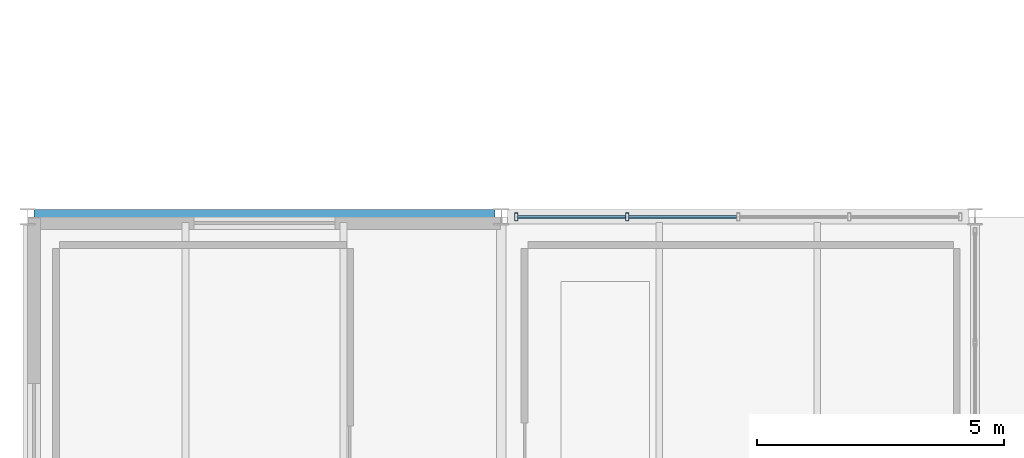
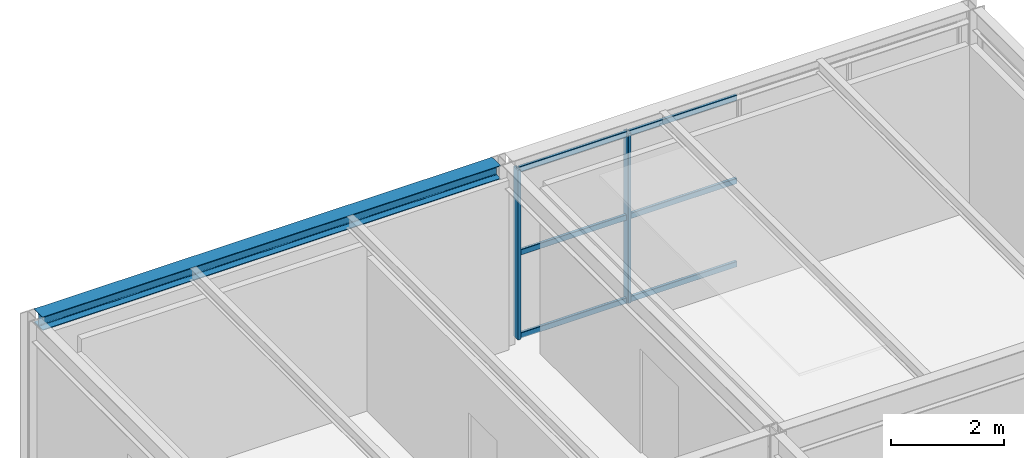
# One storey, part 31 of 50: 8 members, 1 beam, 1 element without a shape of its own.
"""IFC4 building model written with IfcOpenShell, lengths in metres."""

from ifc_helpers import new_model, si_unit, direction, frame, origin, origin_2d, place, context, subcontext, project, spatial, hollow_rectangle, i_section, extrude, material, material_profile, profile_set, type_object, element, aggregate, save


model = new_model("IFC4")

# Units and contexts
model_context = context("Model", 3, precision=1e-05, world=origin(), true_north=direction((0.0, 1.0)))
body_context = subcontext(model_context, "Body", "Model", "MODEL_VIEW")
ifc_project = project(units=[si_unit("LENGTHUNIT", "METRE"), si_unit("AREAUNIT", "SQUARE_METRE"), si_unit("VOLUMEUNIT", "CUBIC_METRE"), si_unit("PLANEANGLEUNIT", "RADIAN"), si_unit("MASSUNIT", "GRAM", prefix="KILO")], contexts=[model_context])

# Site, building, storey
site_placement = place(None, origin())
site = spatial("IfcSite", under=ifc_project, at=site_placement, CompositionType="ELEMENT")
building_placement = place(site_placement, origin())
building = spatial("IfcBuilding", under=site, at=building_placement, Name="Coralgate Yard Interchange", CompositionType="ELEMENT")
storey_placement = place(building_placement, frame((0.0, 0.0, 14.699951171875)))
storey = spatial("IfcBuildingStorey", under=building, at=storey_placement, Name="L03", CompositionType="ELEMENT", Elevation=14.699951171875)

# Beam
ifc_material_1 = material(Name="Structural steel S355J2", Category="steel")
ifc_material_profile_1 = material_profile(ifc_material_1, i_section(OverallWidth=0.300048828125, OverallDepth=0.2900390625, WebThickness=0.008544921875, FlangeThickness=0.013916015625, FilletRadius=0.027099609375, at=origin_2d()), Name="HEA 300")
ifc_profile_set_1 = profile_set([ifc_material_profile_1], Name="Structural steel S355J2")
beam_type = type_object("IfcBeamType", Name="BM-SP-2", PredefinedType="SPANDREL", material=ifc_profile_set_1)
beam_placement = place(storey_placement, frame((0.12548828125, 48.0, 3.804931640625), z_axis=(1.0, 0.0, 0.0), x_axis=(0.0, 1.0, 0.0)))
element("IfcBeam", 1, at=beam_placement, inside=storey, type_object=beam_type, Name="L03 primary grid beam Y5 X0-1", PredefinedType="SPANDREL", context=body_context, shape_type="SweptSolid", body=[
    extrude(i_section(OverallWidth=0.300048828125, OverallDepth=0.2900390625, WebThickness=0.008544921875, FlangeThickness=0.013916015625, FilletRadius=0.027099609375, at=origin_2d()), origin(), (0.0, 0.0, 1.0), 9.348876953125),
])

# Curtain wall, members
ifc_material_2 = material(Name="Anodised coastal aluminium and solar-control low-E glass", Category="aluminium")
curtain_wall_type = type_object("IfcCurtainWallType", Name="CW-CW-L03-A", PredefinedType="NOTDEFINED", material=ifc_material_2)
curtain_wall_placement = place(storey_placement, origin())
curtain_wall = element("IfcCurtainWall", 2, at=curtain_wall_placement, inside=storey, type_object=curtain_wall_type, Name="L03 unitised curtain wall CW-L03-N-01-04", PredefinedType="NOTDEFINED")
ifc_material_3 = material(Name="Anodised coastal aluminium 6063-T6", Category="aluminium")
ifc_material_profile_2 = material_profile(ifc_material_3, hollow_rectangle(XDim=0.06494140625, YDim=0.159912109375, WallThickness=0.00390625, InnerFilletRadius=0.00390625, OuterFilletRadius=0.008056640625, at=origin_2d()), Name="ALU 65x160x4")
ifc_profile_set_2 = profile_set([ifc_material_profile_2], Name="Anodised coastal aluminium 6063-T6")
member_type_1 = type_object("IfcMemberType", Name="MB-MUL-160", PredefinedType="MULLION", material=ifc_profile_set_2)
member_1_placement = place(storey_placement, frame((9.89990234375, 48.0, 0.0), z_axis=(0.0, 0.0, 1.0), x_axis=(1.0, 0.0, 0.0)))
member_1 = element("IfcMember", 3, at=member_1_placement, type_object=member_type_1, Name="CW-L03-N-01-04 vertical mullion 1", PredefinedType="MULLION", context=body_context, shape_type="SweptSolid", body=[
    extrude(hollow_rectangle(XDim=0.06494140625, YDim=0.159912109375, WallThickness=0.00390625, InnerFilletRadius=0.00390625, OuterFilletRadius=0.008056640625, at=origin_2d()), origin(), (0.0, 0.0, 1.0), 3.66015625),
])
member_2_placement = place(storey_placement, frame((12.14990234375, 48.0, 0.0), z_axis=(0.0, 0.0, 1.0), x_axis=(1.0, 0.0, 0.0)))
member_2 = element("IfcMember", 4, at=member_2_placement, type_object=member_type_1, Name="CW-L03-N-01-04 vertical mullion 2", PredefinedType="MULLION", context=body_context, shape_type="SweptSolid", body=[
    extrude(hollow_rectangle(XDim=0.06494140625, YDim=0.159912109375, WallThickness=0.00390625, InnerFilletRadius=0.00390625, OuterFilletRadius=0.008056640625, at=origin_2d()), origin(), (0.0, 0.0, 1.0), 3.66015625),
])
ifc_material_profile_3 = material_profile(ifc_material_3, hollow_rectangle(XDim=0.06005859375, YDim=0.1201171875, WallThickness=0.00341796875, InnerFilletRadius=0.00341796875, OuterFilletRadius=0.007080078125, at=origin_2d()), Name="ALU 60x120x3.5")
ifc_profile_set_3 = profile_set([ifc_material_profile_3], Name="Anodised coastal aluminium 6063-T6")
member_type_2 = type_object("IfcMemberType", Name="MB-TRN-120", PredefinedType="USERDEFINED", material=ifc_profile_set_3)
member_3_placement = place(storey_placement, frame((9.929931640625, 48.0, 0.03515625), z_axis=(1.0, 0.0, 0.0), x_axis=(0.0, 1.0, 0.0)))
member_3 = element("IfcMember", 5, at=member_3_placement, type_object=member_type_2, Name="CW-L03-N-01-04 horizontal transom 1-1", ObjectType="TRANSOM", PredefinedType="USERDEFINED", context=body_context, shape_type="SweptSolid", body=[
    extrude(hollow_rectangle(XDim=0.06005859375, YDim=0.1201171875, WallThickness=0.00341796875, InnerFilletRadius=0.00341796875, OuterFilletRadius=0.007080078125, at=origin_2d()), origin(), (0.0, 0.0, 1.0), 2.190185546875),
])
member_4_placement = place(storey_placement, frame((9.929931640625, 48.0, 1.830078125), z_axis=(1.0, 0.0, 0.0), x_axis=(0.0, 1.0, 0.0)))
member_4 = element("IfcMember", 6, at=member_4_placement, type_object=member_type_2, Name="CW-L03-N-01-04 horizontal transom 1-2", ObjectType="TRANSOM", PredefinedType="USERDEFINED", context=body_context, shape_type="SweptSolid", body=[
    extrude(hollow_rectangle(XDim=0.06005859375, YDim=0.1201171875, WallThickness=0.00341796875, InnerFilletRadius=0.00341796875, OuterFilletRadius=0.007080078125, at=origin_2d()), origin(), (0.0, 0.0, 1.0), 2.190185546875),
])
member_5_placement = place(storey_placement, frame((9.929931640625, 48.0, 3.625), z_axis=(1.0, 0.0, 0.0), x_axis=(0.0, 1.0, 0.0)))
member_5 = element("IfcMember", 7, at=member_5_placement, type_object=member_type_2, Name="CW-L03-N-01-04 horizontal transom 1-3", ObjectType="TRANSOM", PredefinedType="USERDEFINED", context=body_context, shape_type="SweptSolid", body=[
    extrude(hollow_rectangle(XDim=0.06005859375, YDim=0.1201171875, WallThickness=0.00341796875, InnerFilletRadius=0.00341796875, OuterFilletRadius=0.007080078125, at=origin_2d()), origin(), (0.0, 0.0, 1.0), 2.190185546875),
])
member_6_placement = place(storey_placement, frame((12.179931640625, 48.0, 0.03515625), z_axis=(1.0, 0.0, 0.0), x_axis=(0.0, 1.0, 0.0)))
member_6 = element("IfcMember", 8, at=member_6_placement, type_object=member_type_2, Name="CW-L03-N-01-04 horizontal transom 2-1", ObjectType="TRANSOM", PredefinedType="USERDEFINED", context=body_context, shape_type="SweptSolid", body=[
    extrude(hollow_rectangle(XDim=0.06005859375, YDim=0.1201171875, WallThickness=0.00341796875, InnerFilletRadius=0.00341796875, OuterFilletRadius=0.007080078125, at=origin_2d()), origin(), (0.0, 0.0, 1.0), 2.190185546875),
])
member_7_placement = place(storey_placement, frame((12.179931640625, 48.0, 1.830078125), z_axis=(1.0, 0.0, 0.0), x_axis=(0.0, 1.0, 0.0)))
member_7 = element("IfcMember", 9, at=member_7_placement, type_object=member_type_2, Name="CW-L03-N-01-04 horizontal transom 2-2", ObjectType="TRANSOM", PredefinedType="USERDEFINED", context=body_context, shape_type="SweptSolid", body=[
    extrude(hollow_rectangle(XDim=0.06005859375, YDim=0.1201171875, WallThickness=0.00341796875, InnerFilletRadius=0.00341796875, OuterFilletRadius=0.007080078125, at=origin_2d()), origin(), (0.0, 0.0, 1.0), 2.190185546875),
])
member_8_placement = place(storey_placement, frame((12.179931640625, 48.0, 3.625), z_axis=(1.0, 0.0, 0.0), x_axis=(0.0, 1.0, 0.0)))
member_8 = element("IfcMember", 10, at=member_8_placement, type_object=member_type_2, Name="CW-L03-N-01-04 horizontal transom 2-3", ObjectType="TRANSOM", PredefinedType="USERDEFINED", context=body_context, shape_type="SweptSolid", body=[
    extrude(hollow_rectangle(XDim=0.06005859375, YDim=0.1201171875, WallThickness=0.00341796875, InnerFilletRadius=0.00341796875, OuterFilletRadius=0.007080078125, at=origin_2d()), origin(), (0.0, 0.0, 1.0), 2.190185546875),
])
aggregate(curtain_wall, [member_1, member_2, member_3, member_4, member_5, member_6, member_7, member_8])

save(model, "model.ifc")
